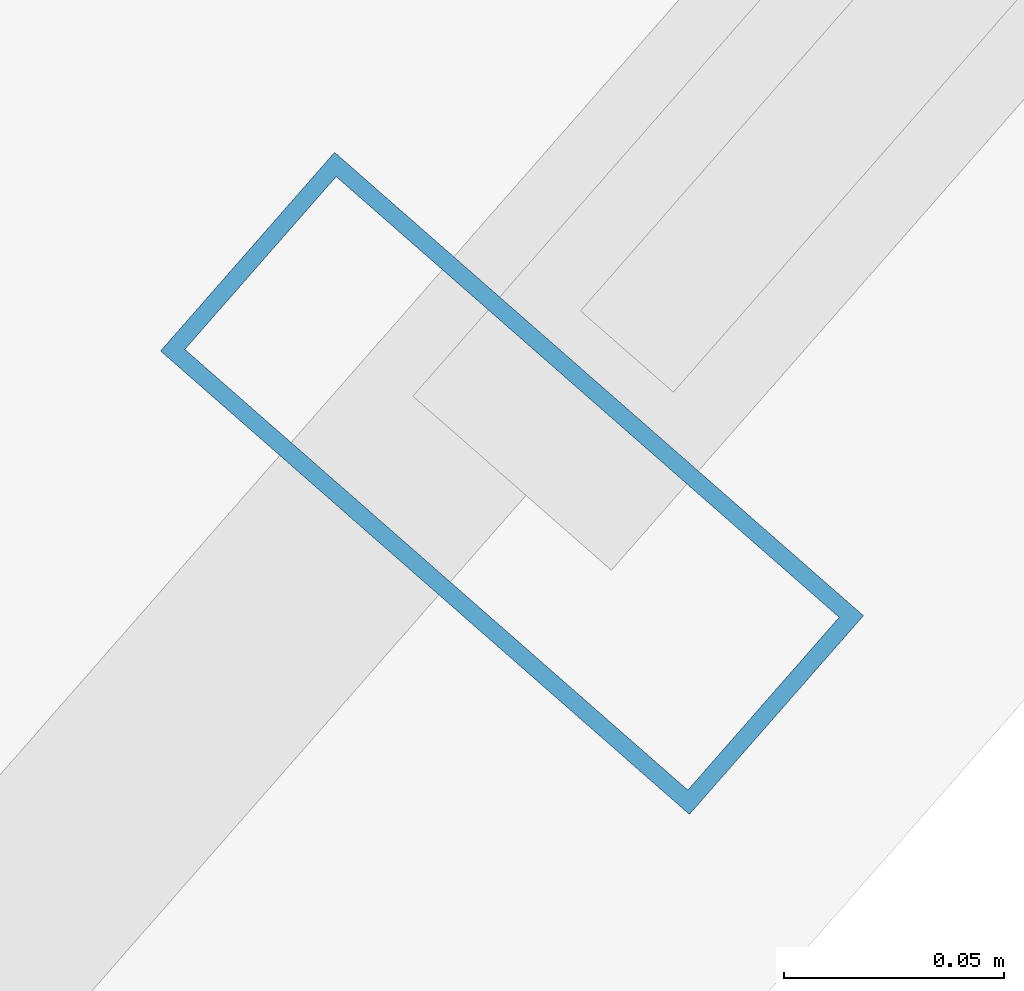
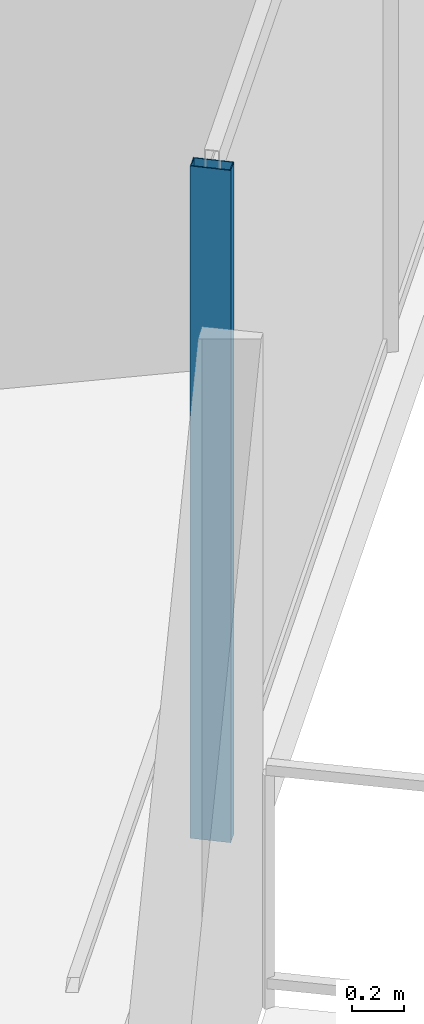
# One storey, part 12 of 33: 1 member, 1 element without a shape of its own.
"""IFC4 building model written with IfcOpenShell, lengths in metres."""

from ifc_helpers import new_model, si_unit, direction, frame, origin, origin_2d, place, context, subcontext, project, spatial, hollow_rectangle, extrude, material, layer, layer_set, material_profile, profile_set, type_object, element, aggregate, save


model = new_model("IFC4")

# Units and contexts
model_context = context("Model", 3, precision=1e-05, world=origin(), true_north=direction((0.0, 1.0)))
body_context = subcontext(model_context, "Body", "Model", "MODEL_VIEW")
ifc_project = project(units=[si_unit("LENGTHUNIT", "METRE"), si_unit("AREAUNIT", "SQUARE_METRE"), si_unit("VOLUMEUNIT", "CUBIC_METRE"), si_unit("PLANEANGLEUNIT", "RADIAN"), si_unit("MASSUNIT", "GRAM", prefix="KILO")], contexts=[model_context])

# Site, building, storey
site_placement = place(None, origin())
site = spatial("IfcSite", under=ifc_project, at=site_placement, CompositionType="ELEMENT")
building_placement = place(site_placement, origin())
building = spatial("IfcBuilding", under=site, at=building_placement, Name="Qarnah Convention Tower", CompositionType="ELEMENT")
storey_placement = place(building_placement, frame((0.0, 0.0, 30.449951171875)))
storey = spatial("IfcBuildingStorey", under=building, at=storey_placement, Name="L06", CompositionType="ELEMENT", Elevation=30.449951171875)

# Curtain wall, member
ifc_material_1 = material(Name="Tempered Low-E dark glass", Category="glass")
ifc_layer = layer(ifc_material_1, 0.16796875)
ifc_layer_set = layer_set([ifc_layer], Name="Tempered Low-E dark glass")
curtain_wall_type = type_object("IfcCurtainWallType", Name="CWS-01", PredefinedType="NOTDEFINED", material=ifc_layer_set)
curtain_wall_placement = place(storey_placement, origin())
curtain_wall = element("IfcCurtainWall", 1, at=curtain_wall_placement, inside=storey, type_object=curtain_wall_type, Name="L06 unitised curtain wall CW-L06-F3", PredefinedType="NOTDEFINED")
ifc_material_2 = material(Name="Black anodised aluminium", Category="aluminium")
ifc_material_profile = material_profile(ifc_material_2, hollow_rectangle(XDim=0.06005859375, YDim=0.159912109375, WallThickness=0.00390625, at=origin_2d()), Name="MUL-60X160")
ifc_profile_set = profile_set([ifc_material_profile], Name="Black anodised aluminium")
member_type = type_object("IfcMemberType", Name="MUL-T1", PredefinedType="MULLION", material=ifc_profile_set)
member_placement = place(storey_placement, frame((55.235107421875, 16.362060546875, 0.0), z_axis=(0.0, 0.0, 1.0), x_axis=(-0.658980576102, -0.752159956606, 0.0)))
member = element("IfcMember", 2, at=member_placement, type_object=member_type, Name="CW-L06-F3 mullion 4", PredefinedType="MULLION", context=body_context, shape_type="SweptSolid", body=[
    extrude(hollow_rectangle(XDim=0.06005859375, YDim=0.159912109375, WallThickness=0.00390625, at=origin_2d()), origin(), (0.0, 0.0, 1.0), 3.170166015625),
])
aggregate(curtain_wall, [member])

save(model, "model.ifc")
